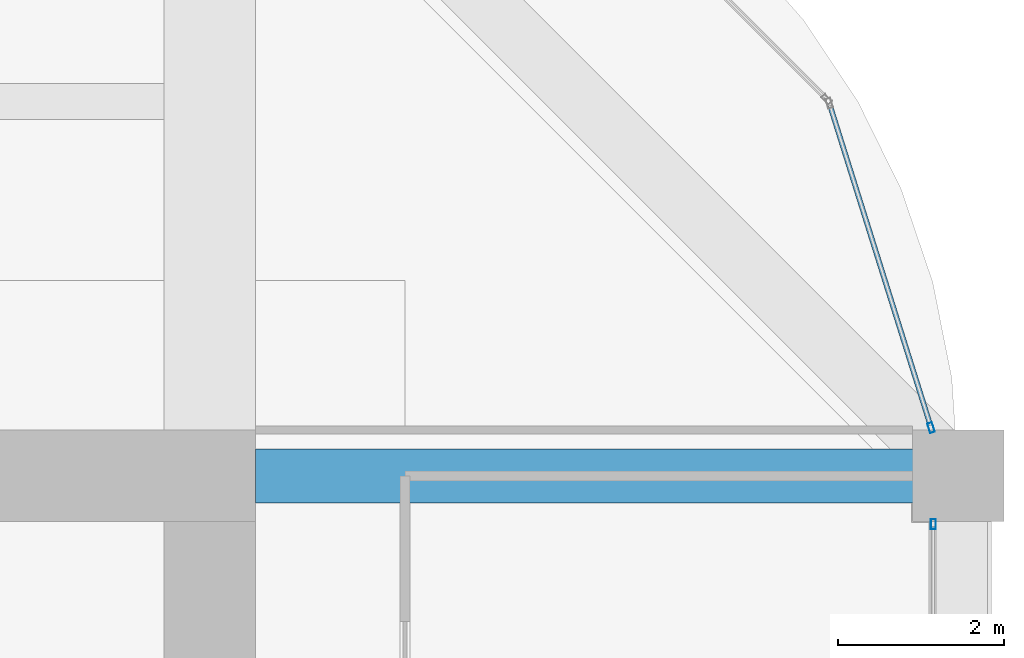
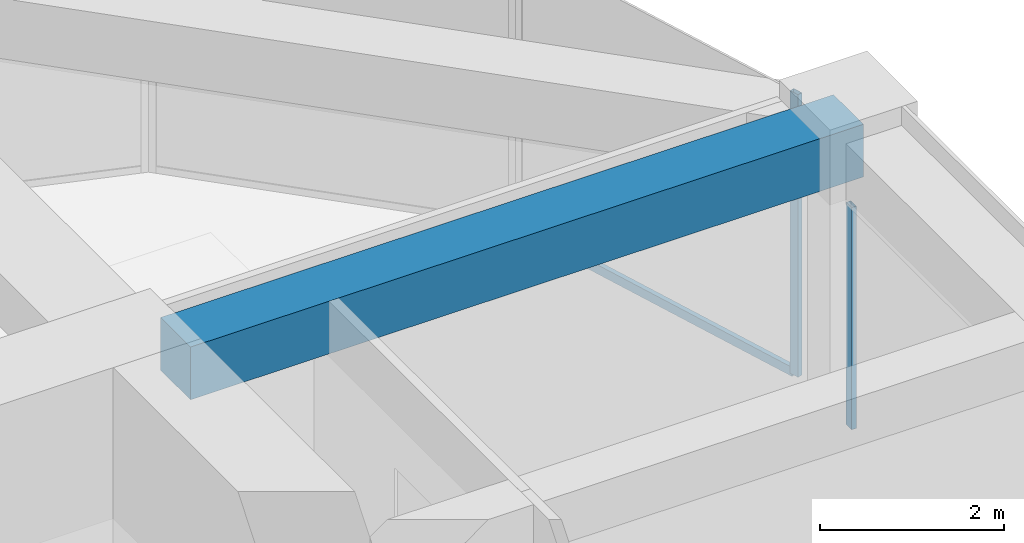
# One storey, part 36 of 45: 3 members, 1 beam, 2 elements without a shape of their own.
"""IFC4 building model written with IfcOpenShell, lengths in metres."""

from ifc_helpers import new_model, si_unit, direction, frame, origin, origin_2d, place, context, subcontext, project, spatial, rectangle, hollow_rectangle, extrude, material, material_profile, profile_set, type_object, element, aggregate, save


model = new_model("IFC4")

# Units and contexts
model_context = context("Model", 3, precision=1e-05, world=origin(), true_north=direction((0.0, 1.0)))
body_context = subcontext(model_context, "Body", "Model", "MODEL_VIEW")
ifc_project = project(units=[si_unit("LENGTHUNIT", "METRE"), si_unit("AREAUNIT", "SQUARE_METRE"), si_unit("VOLUMEUNIT", "CUBIC_METRE"), si_unit("PLANEANGLEUNIT", "RADIAN"), si_unit("MASSUNIT", "GRAM", prefix="KILO")], contexts=[model_context])

# Site, building, storey
site_placement = place(None, origin())
site = spatial("IfcSite", under=ifc_project, at=site_placement, CompositionType="ELEMENT")
building_placement = place(site_placement, origin())
building = spatial("IfcBuilding", under=site, at=building_placement, Name="Zorevar Civic Tower", CompositionType="ELEMENT")
storey_placement = place(building_placement, frame((0.0, 0.0, 279.39990234375)))
storey = spatial("IfcBuildingStorey", under=building, at=storey_placement, Name="L68", CompositionType="ELEMENT", Elevation=279.39990234375)

# Beam
ifc_material_1 = material(Name="Concrete C50/60", Category="concrete")
ifc_material_profile_1 = material_profile(ifc_material_1, rectangle(XDim=0.64990234375, YDim=0.699951171875, at=origin_2d()), Name="RC 650x700")
ifc_profile_set_1 = profile_set([ifc_material_profile_1], Name="Concrete C50/60")
beam_type = type_object("IfcBeamType", Name="Beam RC 650x700", PredefinedType="BEAM", material=ifc_profile_set_1)
beam_placement = place(storey_placement, frame((45.550048828125, 36.0, 3.400146484375), z_axis=(1.0, 0.0, 0.0), x_axis=(0.0, 1.0, 0.0)))
element("IfcBeam", 1, at=beam_placement, inside=storey, type_object=beam_type, Name="Girder L69", PredefinedType="BEAM", context=body_context, shape_type="SweptSolid", body=[
    extrude(rectangle(XDim=0.64990234375, YDim=0.699951171875, at=origin_2d()), origin(), (0.0, 0.0, 1.0), 8.449951171875),
])

# Curtain wall, member
ifc_material_2 = material(Name="Dark grey solar-control glass in black aluminium frame", Category="aluminium")
curtain_wall_type = type_object("IfcCurtainWallType", Name="Curtain wall CW5 top zone", PredefinedType="NOTDEFINED", material=ifc_material_2)
curtain_wall_1_placement = place(storey_placement, origin())
curtain_wall_1 = element("IfcCurtainWall", 2, at=curtain_wall_1_placement, inside=storey, type_object=curtain_wall_type, Name="CW5 L68", PredefinedType="NOTDEFINED")
ifc_material_3 = material(Name="Aluminium, black anodised", Category="aluminium")
ifc_material_profile_2 = material_profile(ifc_material_3, hollow_rectangle(XDim=0.06005859375, YDim=0.1201171875, WallThickness=0.0029296875, at=origin_2d()), Name="AL 120x60x3")
ifc_profile_set_2 = profile_set([ifc_material_profile_2], Name="Aluminium, black anodised")
member_type_1 = type_object("IfcMemberType", Name="CW5 mullion AL 120x60x3", PredefinedType="MULLION", material=ifc_profile_set_2)
member_1_placement = place(storey_placement, frame((53.699951171875, 35.419921875, 0.0), z_axis=(0.0, 0.0, 1.0), x_axis=(-1.0, 0.0, 0.0)))
member_1 = element("IfcMember", 3, at=member_1_placement, type_object=member_type_1, Name="CW5 mullion 3", PredefinedType="MULLION", context=body_context, shape_type="SweptSolid", body=[
    extrude(hollow_rectangle(XDim=0.06005859375, YDim=0.1201171875, WallThickness=0.0029296875, at=origin_2d()), origin(), (0.0, 0.0, 1.0), 2.9501953125),
])
aggregate(curtain_wall_1, [member_1])

# Curtain wall, members
curtain_wall_2_placement = place(storey_placement, origin())
curtain_wall_2 = element("IfcCurtainWall", 4, at=curtain_wall_2_placement, inside=storey, type_object=curtain_wall_type, Name="CW5 L68", PredefinedType="NOTDEFINED")
member_2_placement = place(storey_placement, frame((53.673583984375, 36.57861328125, 0.0), z_axis=(0.0, 0.0, 1.0), x_axis=(-0.954153437674, -0.299317920238, 0.0)))
member_2 = element("IfcMember", 5, at=member_2_placement, type_object=member_type_1, Name="CW5 mullion 1", PredefinedType="MULLION", context=body_context, shape_type="SweptSolid", body=[
    extrude(hollow_rectangle(XDim=0.06005859375, YDim=0.1201171875, WallThickness=0.0029296875, at=origin_2d()), origin(), (0.0, 0.0, 1.0), 3.75),
])
ifc_material_4 = material(Name="Aluminium, black anodised", Category="aluminium")
ifc_material_profile_3 = material_profile(ifc_material_4, hollow_rectangle(XDim=0.06005859375, YDim=0.1201171875, WallThickness=0.0029296875, at=origin_2d()), Name="AL 120x60x3")
ifc_profile_set_3 = profile_set([ifc_material_profile_3], Name="Aluminium, black anodised")
member_type_2 = type_object("IfcMemberType", Name="CW5 transom AL 120x60x3", PredefinedType="USERDEFINED", material=ifc_profile_set_3)
member_3_placement = place(storey_placement, frame((53.66455078125, 36.607177734375, 0.030029296875), z_axis=(-0.299285978047, 0.954163457351, 0.0), x_axis=(-0.954163457351, -0.299285978047, 0.0)))
member_3 = element("IfcMember", 6, at=member_3_placement, type_object=member_type_2, Name="CW5 sill transom", ObjectType="TRANSOM", PredefinedType="USERDEFINED", context=body_context, shape_type="SweptSolid", body=[
    extrude(hollow_rectangle(XDim=0.06005859375, YDim=0.1201171875, WallThickness=0.0029296875, at=origin_2d()), origin(), (0.0, 0.0, 1.0), 4.028076171875),
])
aggregate(curtain_wall_2, [member_2, member_3])

save(model, "model.ifc")
